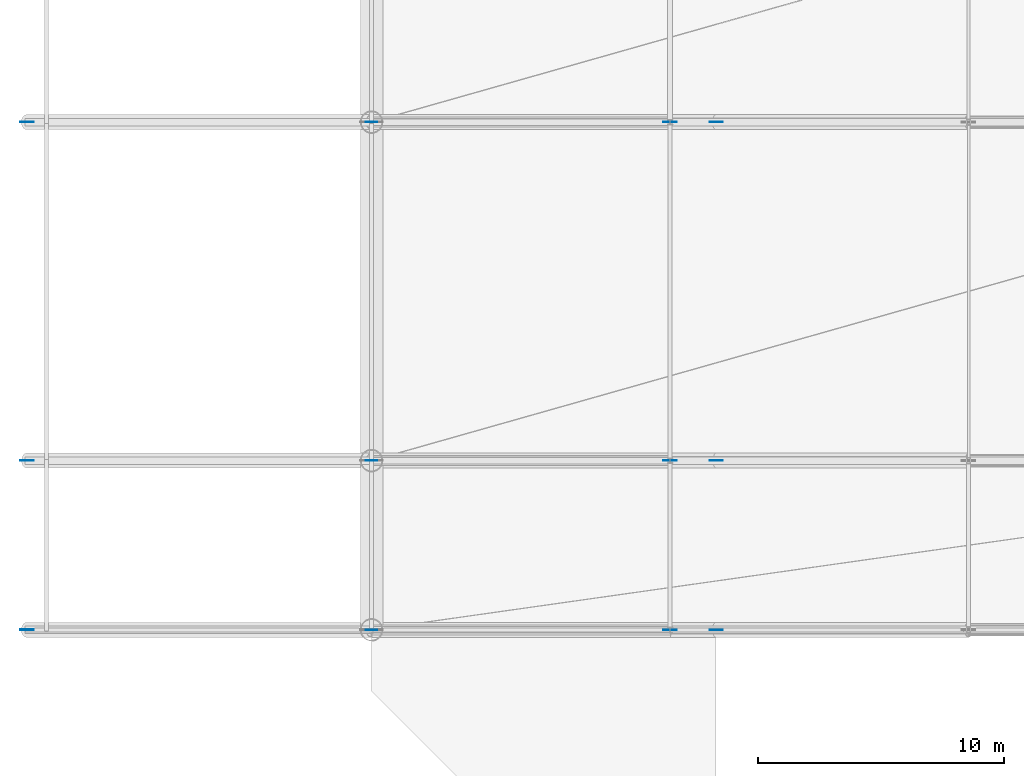
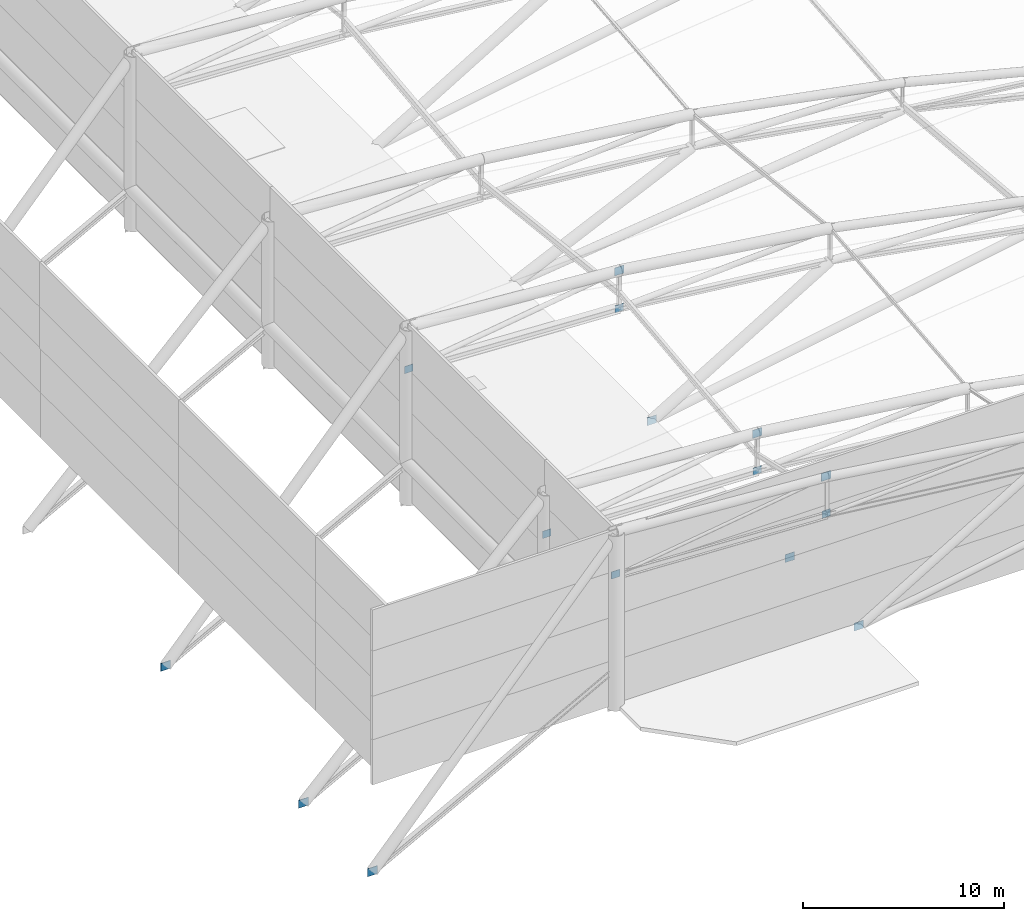
# One storey, part 31 of 36: 15 plates.
"""IFC4 building model written with IfcOpenShell, lengths in metres."""

from ifc_helpers import new_model, si_unit, direction, frame, origin, origin_2d, place, context, subcontext, project, spatial, rectangle, extrude, material, layer, layer_set, type_object, element, save


model = new_model("IFC4")

# Units and contexts
model_context = context("Model", 3, precision=1e-05, world=origin(), true_north=direction((0.0, 1.0)))
body_context = subcontext(model_context, "Body", "Model", "MODEL_VIEW")
ifc_project = project(units=[si_unit("LENGTHUNIT", "METRE"), si_unit("AREAUNIT", "SQUARE_METRE"), si_unit("VOLUMEUNIT", "CUBIC_METRE"), si_unit("PLANEANGLEUNIT", "RADIAN"), si_unit("MASSUNIT", "GRAM", prefix="KILO")], contexts=[model_context])

# Site, building, storey
site_placement = place(None, origin())
site = spatial("IfcSite", under=ifc_project, at=site_placement, CompositionType="ELEMENT")
building_placement = place(site_placement, origin())
building = spatial("IfcBuilding", under=site, at=building_placement, Name="Linyun Crest Stadium", CompositionType="ELEMENT")
storey_placement = place(building_placement, frame((0.0, 0.0, 31.60009765625)))
storey = spatial("IfcBuildingStorey", under=building, at=storey_placement, Name="RF", CompositionType="ELEMENT", Elevation=31.60009765625)

# Plates
ifc_material_1 = material(Name="Steel Q355C", Category="steel")
ifc_layer_1 = layer(ifc_material_1, 0.02392578125)
ifc_layer_set_1 = layer_set([ifc_layer_1], Name="Steel Q355C")
plate_type_1 = type_object("IfcPlateType", Name="NP01", PredefinedType="USERDEFINED", material=ifc_layer_set_1)
for number, where, z_axis, x_axis, name in (
    (1, (-84.0, -46.0, 7.579833984375), (0.0, 0.0, 1.0), (1.0, 0.0, 0.0), "Roof bottom-chord node gusset plate NP01 8"),
    (2, (-71.875, -46.0, 7.030029296875), (0.0, 0.0, 1.0), (1.0, 0.0, 0.0), "Roof bottom-chord node gusset plate NP01 9"),
    (3, (-84.0, -39.125, 5.8798828125), (0.0, 0.0, 1.0), (1.0, 0.0, 0.0), "Roof bottom-chord node gusset plate NP01 21"),
    (4, (-71.875, -39.125, 5.47900390625), (0.0, 0.0, 1.0), (1.0, 0.0, 0.0), "Roof bottom-chord node gusset plate NP01 22"),
    (5, (-84.0, -25.375, 7.579833984375), (0.0, 0.0, 1.0), (1.0, 0.0, 0.0), "Roof bottom-chord node gusset plate NP01 34"),
    (6, (-71.875, -25.375, 7.030029296875), (0.0, 0.0, 1.0), (1.0, 0.0, 0.0), "Roof bottom-chord node gusset plate NP01 35"),
):
    element("IfcPlate", number, at=place(storey_placement, frame(where, z_axis=z_axis, x_axis=x_axis)), inside=storey, type_object=plate_type_1, Name=name, ObjectType="GUSSET PLATE", PredefinedType="USERDEFINED", context=body_context, shape_type="SweptSolid", body=[
        extrude(rectangle(XDim=0.47998046875, YDim=0.02392578125, at=origin_2d()), origin(), (0.0, 0.0, 1.0), 0.43994140625),
    ])
ifc_material_2 = material(Name="Steel Q420C", Category="steel")
ifc_layer_2 = layer(ifc_material_2, 0.028076171875)
ifc_layer_set_2 = layer_set([ifc_layer_2], Name="Steel Q420C")
plate_type_2 = type_object("IfcPlateType", Name="NP02", PredefinedType="USERDEFINED", material=ifc_layer_set_2)
for number, where, z_axis, x_axis, name in (
    (7, (-71.875, -46.0, 9.2978515625), (0.0, 0.0, 1.0), (1.0, 0.0, 0.0), "Roof truss node gusset plate NP02 3"),
    (8, (-70.0, -46.0, -0.47509765625), (0.0, 0.0, 1.0), (1.0, 0.0, 0.0), "Roof V-strut base gusset plate NP02 13"),
    (9, (-71.875, -39.125, 7.746826171875), (0.0, 0.0, 1.0), (1.0, 0.0, 0.0), "Roof truss node gusset plate NP02 16"),
    (10, (-70.0, -39.125, -0.47509765625), (0.0, 0.0, 1.0), (1.0, 0.0, 0.0), "Roof V-strut base gusset plate NP02 26"),
    (11, (-71.875, -25.375, 9.2978515625), (0.0, 0.0, 1.0), (1.0, 0.0, 0.0), "Roof truss node gusset plate NP02 29"),
    (12, (-70.0, -25.375, -0.47509765625), (0.0, 0.0, 1.0), (1.0, 0.0, 0.0), "Roof V-strut base gusset plate NP02 39"),
):
    element("IfcPlate", number, at=place(storey_placement, frame(where, z_axis=z_axis, x_axis=x_axis)), inside=storey, type_object=plate_type_2, Name=name, ObjectType="GUSSET PLATE", PredefinedType="USERDEFINED", context=body_context, shape_type="SweptSolid", body=[
        extrude(rectangle(XDim=0.5400390625, YDim=0.028076171875, at=origin_2d()), origin(), (0.0, 0.0, 1.0), 0.47998046875),
    ])
ifc_material_3 = material(Name="Steel Q420C", Category="steel")
ifc_layer_3 = layer(ifc_material_3, 0.031982421875)
ifc_layer_set_3 = layer_set([ifc_layer_3], Name="Steel Q420C")
plate_type_3 = type_object("IfcPlateType", Name="NP03", PredefinedType="USERDEFINED", material=ifc_layer_set_3)
for number, where, z_axis, x_axis, name in (
    (13, (-98.0, -46.0, -5.6201171875), (0.0, 0.0, 1.0), (1.0, 0.0, 0.0), "Roof back-stay anchor gusset plate NP03 7"),
    (14, (-98.0, -39.125, -5.6201171875), (0.0, 0.0, 1.0), (1.0, 0.0, 0.0), "Roof back-stay anchor gusset plate NP03 20"),
    (15, (-98.0, -25.375, -5.6201171875), (0.0, 0.0, 1.0), (1.0, 0.0, 0.0), "Roof back-stay anchor gusset plate NP03 33"),
):
    element("IfcPlate", number, at=place(storey_placement, frame(where, z_axis=z_axis, x_axis=x_axis)), inside=storey, type_object=plate_type_3, Name=name, ObjectType="GUSSET PLATE", PredefinedType="USERDEFINED", context=body_context, shape_type="SweptSolid", body=[
        extrude(rectangle(XDim=0.56005859375, YDim=0.031982421875, at=origin_2d()), origin(), (0.0, 0.0, 1.0), 0.47998046875),
    ])

save(model, "model.ifc")
